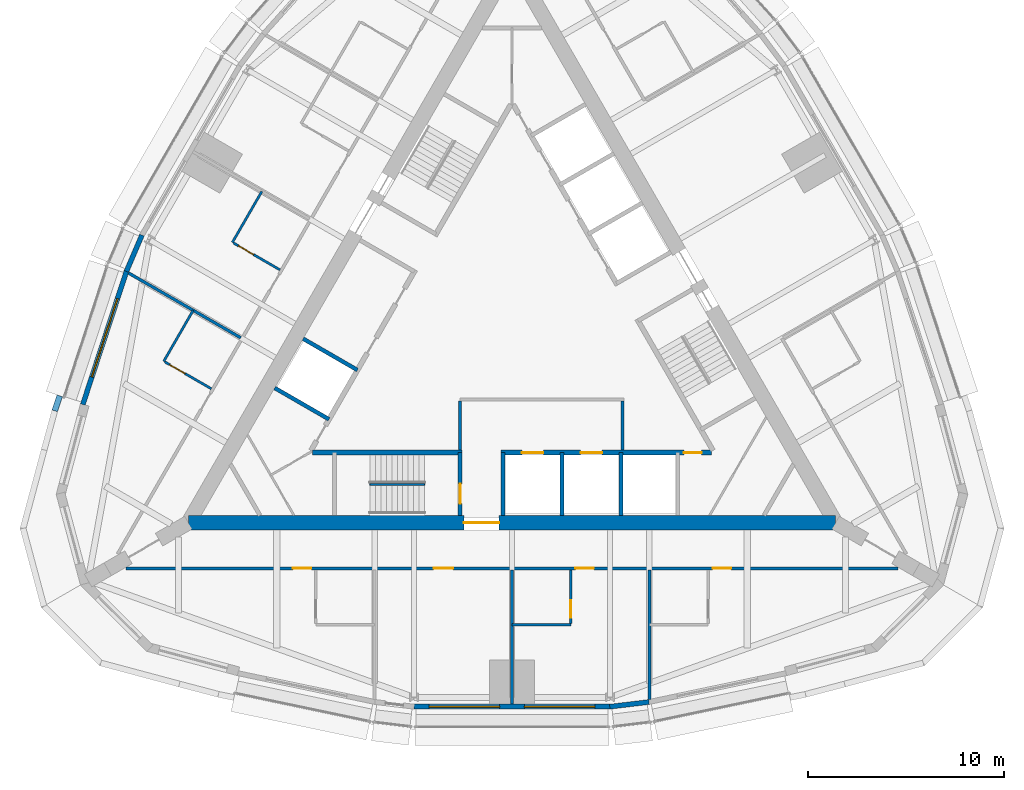
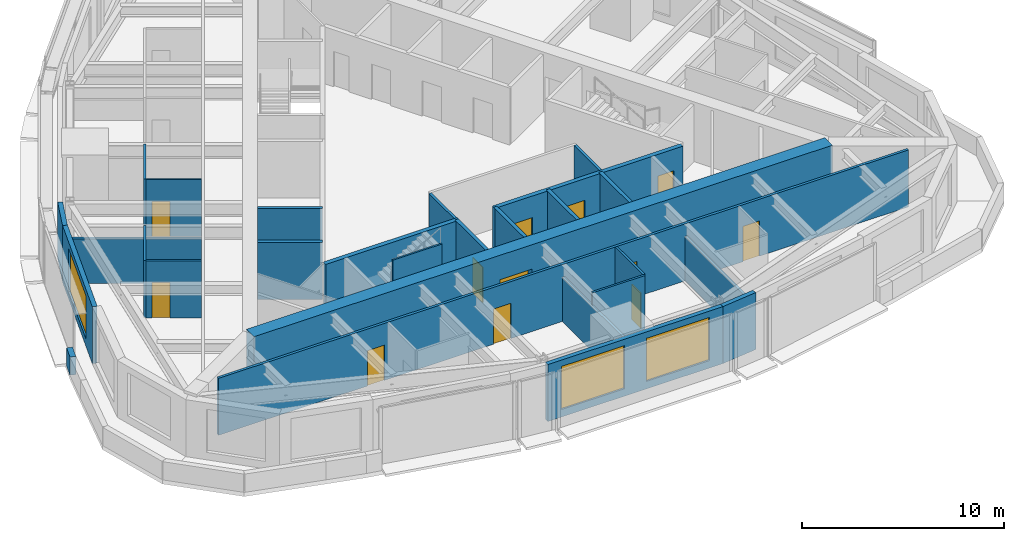
# One storey, part 8 of 13: 27 walls, 12 doors, 3 windows, 15 openings.
"""IFC4 building model written with IfcOpenShell, lengths in metres."""

from ifc_helpers import new_model, si_unit, direction, frame, frame_2d, origin, place, context, subcontext, project, spatial, rectangle, extrude, material, layer, layer_set, type_object, element, fill, save


model = new_model("IFC4")

# Units and contexts
model_context = context("Model", 3, precision=1e-05, world=origin(), true_north=direction((0.0, 1.0)))
body_context = subcontext(model_context, "Body", "Model", "MODEL_VIEW")
ifc_project = project(units=[si_unit("LENGTHUNIT", "METRE"), si_unit("AREAUNIT", "SQUARE_METRE"), si_unit("VOLUMEUNIT", "CUBIC_METRE"), si_unit("PLANEANGLEUNIT", "RADIAN"), si_unit("MASSUNIT", "GRAM", prefix="KILO")], contexts=[model_context])

# Site, building, storey
site_placement = place(None, origin())
site = spatial("IfcSite", under=ifc_project, at=site_placement, CompositionType="ELEMENT")
building_placement = place(site_placement, origin())
building = spatial("IfcBuilding", under=site, at=building_placement, Name="Trikona Tower", CompositionType="ELEMENT")
storey_placement = place(building_placement, frame((0.0, 0.0, 239.300048828125)))
storey = spatial("IfcBuildingStorey", under=building, at=storey_placement, Name="L63", CompositionType="ELEMENT", Elevation=239.300048828125)

# Wall
ifc_material_1 = material(Name="Metal stud and cement board", Category="gypsum")
ifc_layer_1 = layer(ifc_material_1, 0.1201171875)
ifc_layer_set_1 = layer_set([ifc_layer_1], Name="Bathroom wall 120")
wall_type_1 = type_object("IfcWallType", Name="Bathroom wall 120", PredefinedType="PLUMBINGWALL", material=ifc_layer_set_1)
wall_1_placement = place(storey_placement, frame((0.0, -14.726318359375, 0.0), z_axis=(0.0, 0.0, 1.0), x_axis=(1.0, 0.0, 0.0)))
element("IfcWall", 1, at=wall_1_placement, inside=storey, type_object=wall_type_1, Name="Bathroom wall 6302", PredefinedType="PLUMBINGWALL", context=body_context, shape_type="SweptSolid", body=[
    extrude(rectangle(XDim=3.0, YDim=0.1201171875, at=frame_2d((1.5, 0.0))), origin(), (0.0, 0.0, 1.0), 3.43505859375),
])

# Wall, opening, door
wall_2_placement = place(storey_placement, frame((3.0, -11.92626953125, 0.0), z_axis=(0.0, 0.0, 1.0), x_axis=(0.0, -1.0, 0.0)))
wall_2 = element("IfcWall", 2, at=wall_2_placement, inside=storey, type_object=wall_type_1, Name="Bathroom wall 6302", PredefinedType="PLUMBINGWALL", context=body_context, shape_type="SweptSolid", body=[
    extrude(rectangle(XDim=2.739990234375, YDim=0.1201171875, at=frame_2d((1.3701171875, 0.0))), origin(), (0.0, 0.0, 1.0), 3.43505859375),
])
opening_1_placement = place(wall_2_placement, frame((1.550048828125, 0.0, 0.0)))
opening_1 = element("IfcOpeningElement", 3, at=opening_1_placement, cuts=wall_2, Name="Opening D2", PredefinedType="OPENING", context=body_context, shape_type="SweptSolid", body=[
    extrude(rectangle(XDim=0.89990234375, YDim=2.1298828125, at=frame_2d((0.449951171875, 1.06494140625))), frame((0.0, 0.070068359375, 0.0), z_axis=(0.0, -1.0, 0.0), x_axis=(1.0, 0.0, 0.0)), (0.0, 0.0, 1.0), 0.14013671875),
])
ifc_material_2 = material(Name="Steel door frame with solid-core timber leaf", Category="steel")
door_type_1 = type_object("IfcDoorType", Name="Bathroom door 900x2130", OperationType="SLIDING_TO_LEFT", PredefinedType="DOOR", material=ifc_material_2)
door_1_placement = place(opening_1_placement, origin())
door_1 = element("IfcDoor", 4, at=door_1_placement, inside=storey, type_object=door_type_1, Name="Bathroom door 6302", OperationType="SLIDING_TO_LEFT", OverallHeight=2.1298828125, OverallWidth=0.89990234375, PredefinedType="DOOR", context=body_context, shape_type="SweptSolid", body=[
    extrude(rectangle(XDim=0.89990234375, YDim=2.1298828125, at=frame_2d((0.449951171875, 1.06494140625))), frame((0.0, 0.02490234375, 0.0), z_axis=(0.0, -1.0, 0.0), x_axis=(1.0, 0.0, 0.0)), (0.0, 0.0, 1.0), 0.050048828125),
])
fill(opening_1, door_1)

# Wall
wall_3_placement = place(storey_placement, frame((-12.75341796875, 7.363037109375, 0.0), z_axis=(0.0, 0.0, 1.0), x_axis=(-0.50002537861, -0.866010750942, 0.0)))
element("IfcWall", 5, at=wall_3_placement, inside=storey, type_object=wall_type_1, Name="Bathroom wall 6308", PredefinedType="PLUMBINGWALL", context=body_context, shape_type="SweptSolid", body=[
    extrude(rectangle(XDim=2.999755859375, YDim=0.1201171875, at=frame_2d((1.5, 0.0))), origin(), (0.0, 0.0, 1.0), 3.43505859375),
])

# Wall, opening, door
wall_4_placement = place(storey_placement, frame((-11.82861328125, 3.364990234375, 0.0), z_axis=(0.0, 0.0, 1.0), x_axis=(-0.865997131366, 0.500048966069, 0.0)))
wall_4 = element("IfcWall", 6, at=wall_4_placement, inside=storey, type_object=wall_type_1, Name="Bathroom wall 6308", PredefinedType="PLUMBINGWALL", context=body_context, shape_type="SweptSolid", body=[
    extrude(rectangle(XDim=2.739990234375, YDim=0.1201171875, at=frame_2d((1.3701171875, 0.0))), origin(), (0.0, 0.0, 1.0), 3.43505859375),
])
opening_2_placement = place(wall_4_placement, frame((1.550048828125, 0.0, 0.0)))
opening_2 = element("IfcOpeningElement", 7, at=opening_2_placement, cuts=wall_4, Name="Opening D2", PredefinedType="OPENING", context=body_context, shape_type="SweptSolid", body=[
    extrude(rectangle(XDim=0.89990234375, YDim=2.1298828125, at=frame_2d((0.449951171875, 1.06494140625))), frame((0.0, 0.070068359375, 0.0), z_axis=(0.0, -1.0, 0.0), x_axis=(1.0, 0.0, 0.0)), (0.0, 0.0, 1.0), 0.14013671875),
])
door_2_placement = place(opening_2_placement, origin())
door_2 = element("IfcDoor", 8, at=door_2_placement, inside=storey, type_object=door_type_1, Name="Bathroom door 6308", OperationType="SLIDING_TO_LEFT", OverallHeight=2.1298828125, OverallWidth=0.89990234375, PredefinedType="DOOR", context=body_context, shape_type="SweptSolid", body=[
    extrude(rectangle(XDim=0.89990234375, YDim=2.1298828125, at=frame_2d((0.449951171875, 1.06494140625))), frame((0.0, 0.02490234375, 0.0), z_axis=(0.0, -1.0, 0.0), x_axis=(1.0, 0.0, 0.0)), (0.0, 0.0, 1.0), 0.050048828125),
])
fill(opening_2, door_2)

# Wall
wall_5_placement = place(storey_placement, frame((-16.25341796875, 1.301025390625, 0.0), z_axis=(0.0, 0.0, 1.0), x_axis=(-0.499990139034, -0.866031096941, 0.0)))
element("IfcWall", 9, at=wall_5_placement, inside=storey, type_object=wall_type_1, Name="Bathroom wall 6309", PredefinedType="PLUMBINGWALL", context=body_context, shape_type="SweptSolid", body=[
    extrude(rectangle(XDim=3.0, YDim=0.1201171875, at=frame_2d((1.5, 0.0))), origin(), (0.0, 0.0, 1.0), 3.43505859375),
])

# Wall, opening, door
wall_6_placement = place(storey_placement, frame((-15.32861328125, -2.697021484375, 0.0), z_axis=(0.0, 0.0, 1.0), x_axis=(-0.866035715982, 0.499982138324, 0.0)))
wall_6 = element("IfcWall", 10, at=wall_6_placement, inside=storey, type_object=wall_type_1, Name="Bathroom wall 6309", PredefinedType="PLUMBINGWALL", context=body_context, shape_type="SweptSolid", body=[
    extrude(rectangle(XDim=2.73974609375, YDim=0.1201171875, at=frame_2d((1.369873046875, 0.0))), origin(), (0.0, 0.0, 1.0), 3.43505859375),
])
opening_3_placement = place(wall_6_placement, frame((1.550048828125, 0.0, 0.0)))
opening_3 = element("IfcOpeningElement", 11, at=opening_3_placement, cuts=wall_6, Name="Opening D2", PredefinedType="OPENING", context=body_context, shape_type="SweptSolid", body=[
    extrude(rectangle(XDim=0.89990234375, YDim=2.1298828125, at=frame_2d((0.449951171875, 1.06494140625))), frame((0.0, 0.070068359375, 0.0), z_axis=(0.0, -1.0, 0.0), x_axis=(1.0, 0.0, 0.0)), (0.0, 0.0, 1.0), 0.14013671875),
])
door_3_placement = place(opening_3_placement, origin())
door_3 = element("IfcDoor", 12, at=door_3_placement, inside=storey, type_object=door_type_1, Name="Bathroom door 6309", OperationType="SLIDING_TO_LEFT", OverallHeight=2.1298828125, OverallWidth=0.89990234375, PredefinedType="DOOR", context=body_context, shape_type="SweptSolid", body=[
    extrude(rectangle(XDim=0.89990234375, YDim=2.1298828125, at=frame_2d((0.449951171875, 1.06494140625))), frame((0.0, 0.02490234375, 0.0), z_axis=(0.0, -1.0, 0.0), x_axis=(1.0, 0.0, 0.0)), (0.0, 0.0, 1.0), 0.050048828125),
])
fill(opening_3, door_3)

ifc_material_3 = material(Name="Concrete f'c 10000 psi", Category="concrete")
ifc_layer_2 = layer(ifc_material_3, 0.75)
ifc_layer_set_2 = layer_set([ifc_layer_2], Name="Core wall 750")
wall_type_2 = type_object("IfcWallType", Name="Core wall 750", PredefinedType="SHEAR", material=ifc_layer_set_2)
wall_7_placement = place(storey_placement, frame((-16.5, -9.5263671875, 0.0), z_axis=(0.0, 0.0, 1.0), x_axis=(1.0, 0.0, 0.0)))
wall_7 = element("IfcWall", 13, at=wall_7_placement, inside=storey, type_object=wall_type_2, Name="Core wall A", PredefinedType="SHEAR", context=body_context, shape_type="SweptSolid", body=[
    extrude(rectangle(XDim=33.0, YDim=0.75, at=frame_2d((16.5, 0.0))), origin(), (0.0, 0.0, 1.0), 3.599853515625),
])
opening_4_placement = place(wall_7_placement, frame((14.050048828125, 0.0, 0.0)))
opening_4 = element("IfcOpeningElement", 14, at=opening_4_placement, cuts=wall_7, Name="Opening D6", PredefinedType="OPENING", context=body_context, shape_type="SweptSolid", body=[
    extrude(rectangle(XDim=1.800048828125, YDim=2.1298828125, at=frame_2d((0.89990234375, 1.06494140625))), frame((0.0, 0.385009765625, 0.0), z_axis=(0.0, -1.0, 0.0), x_axis=(1.0, 0.0, 0.0)), (0.0, 0.0, 1.0), 0.77001953125),
])
ifc_material_4 = material(Name="Hollow metal door and frame", Category="steel")
door_type_2 = type_object("IfcDoorType", Name="Lobby door pair 1800x2130", OperationType="DOUBLE_DOOR_SINGLE_SWING", PredefinedType="DOOR", material=ifc_material_4)
door_4_placement = place(opening_4_placement, origin())
door_4 = element("IfcDoor", 15, at=door_4_placement, inside=storey, type_object=door_type_2, Name="Fire service lift lobby door", OperationType="DOUBLE_DOOR_SINGLE_SWING", OverallHeight=2.1298828125, OverallWidth=1.800048828125, PredefinedType="DOOR", context=body_context, shape_type="SweptSolid", body=[
    extrude(rectangle(XDim=1.800048828125, YDim=2.1298828125, at=frame_2d((0.89990234375, 1.06494140625))), frame((0.0, 0.02490234375, 0.0), z_axis=(0.0, -1.0, 0.0), x_axis=(1.0, 0.0, 0.0)), (0.0, 0.0, 1.0), 0.050048828125),
])
fill(opening_4, door_4)

# Wall, openings, doors
ifc_material_5 = material(Name="Metal stud and gypsum board, 1-hour", Category="gypsum")
ifc_layer_3 = layer(ifc_material_5, 0.14990234375)
ifc_layer_set_3 = layer_set([ifc_layer_3], Name="Corridor wall 150")
wall_type_3 = type_object("IfcWallType", Name="Corridor wall 150", PredefinedType="PARTITIONING", material=ifc_layer_set_3)
wall_8_placement = place(storey_placement, frame((-19.677001953125, -11.851318359375, 0.0), z_axis=(0.0, 0.0, 1.0), x_axis=(1.0, 0.0, 0.0)))
wall_8 = element("IfcWall", 16, at=wall_8_placement, inside=storey, type_object=wall_type_3, Name="Corridor wall L63-1", PredefinedType="PARTITIONING", context=body_context, shape_type="SweptSolid", body=[
    extrude(rectangle(XDim=39.35400390625, YDim=0.14990234375, at=frame_2d((19.677001953125, 0.0))), origin(), (0.0, 0.0, 1.0), 3.43505859375),
])
opening_5_placement = place(wall_8_placement, frame((8.501953125, 0.0, 0.0)))
opening_5 = element("IfcOpeningElement", 17, at=opening_5_placement, cuts=wall_8, Name="Opening D1", PredefinedType="OPENING", context=body_context, shape_type="SweptSolid", body=[
    extrude(rectangle(XDim=0.949951171875, YDim=2.1298828125, at=frame_2d((0.47509765625, 1.06494140625))), frame((0.0, 0.0849609375, 0.0), z_axis=(0.0, -1.0, 0.0), x_axis=(1.0, 0.0, 0.0)), (0.0, 0.0, 1.0), 0.169921875),
])
opening_6_placement = place(wall_8_placement, frame((15.677001953125, 0.0, 0.0)))
opening_6 = element("IfcOpeningElement", 18, at=opening_6_placement, cuts=wall_8, Name="Opening D3", PredefinedType="OPENING", context=body_context, shape_type="SweptSolid", body=[
    extrude(rectangle(XDim=1.0, YDim=2.1298828125, at=frame_2d((0.5, 1.06494140625))), frame((0.0, 0.0849609375, 0.0), z_axis=(0.0, -1.0, 0.0), x_axis=(1.0, 0.0, 0.0)), (0.0, 0.0, 1.0), 0.169921875),
])
opening_7_placement = place(wall_8_placement, frame((22.902099609375, 0.0, 0.0)))
opening_7 = element("IfcOpeningElement", 19, at=opening_7_placement, cuts=wall_8, Name="Opening D1", PredefinedType="OPENING", context=body_context, shape_type="SweptSolid", body=[
    extrude(rectangle(XDim=0.949951171875, YDim=2.1298828125, at=frame_2d((0.47509765625, 1.06494140625))), frame((0.0, 0.0849609375, 0.0), z_axis=(0.0, -1.0, 0.0), x_axis=(1.0, 0.0, 0.0)), (0.0, 0.0, 1.0), 0.169921875),
])
opening_8_placement = place(wall_8_placement, frame((29.902099609375, 0.0, 0.0)))
opening_8 = element("IfcOpeningElement", 20, at=opening_8_placement, cuts=wall_8, Name="Opening D1", PredefinedType="OPENING", context=body_context, shape_type="SweptSolid", body=[
    extrude(rectangle(XDim=0.949951171875, YDim=2.1298828125, at=frame_2d((0.47509765625, 1.06494140625))), frame((0.0, 0.0849609375, 0.0), z_axis=(0.0, -1.0, 0.0), x_axis=(1.0, 0.0, 0.0)), (0.0, 0.0, 1.0), 0.169921875),
])
ifc_material_6 = material(Name="Steel door frame with solid-core timber leaf", Category="steel")
door_type_3 = type_object("IfcDoorType", Name="Guest room door 950x2130", OperationType="SINGLE_SWING_LEFT", PredefinedType="DOOR", material=ifc_material_6)
door_5_placement = place(opening_5_placement, origin())
door_5 = element("IfcDoor", 21, at=door_5_placement, inside=storey, type_object=door_type_3, Name="Room door 6301", OperationType="SINGLE_SWING_LEFT", OverallHeight=2.1298828125, OverallWidth=0.949951171875, PredefinedType="DOOR", context=body_context, shape_type="SweptSolid", body=[
    extrude(rectangle(XDim=0.949951171875, YDim=2.1298828125, at=frame_2d((0.47509765625, 1.06494140625))), frame((0.0, 0.02490234375, 0.0), z_axis=(0.0, -1.0, 0.0), x_axis=(1.0, 0.0, 0.0)), (0.0, 0.0, 1.0), 0.050048828125),
])
fill(opening_5, door_5)
door_6_placement = place(opening_7_placement, origin())
door_6 = element("IfcDoor", 22, at=door_6_placement, inside=storey, type_object=door_type_3, Name="Room door 6302", OperationType="SINGLE_SWING_LEFT", OverallHeight=2.1298828125, OverallWidth=0.949951171875, PredefinedType="DOOR", context=body_context, shape_type="SweptSolid", body=[
    extrude(rectangle(XDim=0.949951171875, YDim=2.1298828125, at=frame_2d((0.47509765625, 1.06494140625))), frame((0.0, 0.02490234375, 0.0), z_axis=(0.0, -1.0, 0.0), x_axis=(1.0, 0.0, 0.0)), (0.0, 0.0, 1.0), 0.050048828125),
])
fill(opening_7, door_6)
door_7_placement = place(opening_8_placement, origin())
door_7 = element("IfcDoor", 23, at=door_7_placement, inside=storey, type_object=door_type_3, Name="Room door 6303", OperationType="SINGLE_SWING_RIGHT", OverallHeight=2.1298828125, OverallWidth=0.949951171875, PredefinedType="DOOR", context=body_context, shape_type="SweptSolid", body=[
    extrude(rectangle(XDim=0.949951171875, YDim=2.1298828125, at=frame_2d((0.47509765625, 1.06494140625))), frame((0.0, 0.02490234375, 0.0), z_axis=(0.0, -1.0, 0.0), x_axis=(1.0, 0.0, 0.0)), (0.0, 0.0, 1.0), 0.050048828125),
])
fill(opening_8, door_7)
ifc_material_7 = material(Name="Steel door frame with solid-core timber leaf", Category="steel")
door_type_4 = type_object("IfcDoorType", Name="Room door 1000x2130", OperationType="SINGLE_SWING_LEFT", PredefinedType="DOOR", material=ifc_material_7)
door_8_placement = place(opening_6_placement, origin())
door_8 = element("IfcDoor", 24, at=door_8_placement, inside=storey, type_object=door_type_4, Name="Door Housekeeping pantry", OperationType="SINGLE_SWING_RIGHT", OverallHeight=2.1298828125, OverallWidth=1.0, PredefinedType="DOOR", context=body_context, shape_type="SweptSolid", body=[
    extrude(rectangle(XDim=1.0, YDim=2.1298828125, at=frame_2d((0.5, 1.06494140625))), frame((0.0, 0.02490234375, 0.0), z_axis=(0.0, -1.0, 0.0), x_axis=(1.0, 0.0, 0.0)), (0.0, 0.0, 1.0), 0.050048828125),
])
fill(opening_6, door_8)

# Wall
ifc_material_8 = material(Name="Concrete f'c 8000 psi", Category="concrete")
ifc_layer_4 = layer(ifc_material_8, 0.25)
ifc_layer_set_4 = layer_set([ifc_layer_4], Name="Hub wall 250")
wall_type_4 = type_object("IfcWallType", Name="Hub wall 250", PredefinedType="SOLIDWALL", material=ifc_layer_set_4)
wall_9_placement = place(storey_placement, frame((-10.182861328125, -5.951416015625, 0.0), z_axis=(0.0, 0.0, 1.0), x_axis=(1.0, 0.0, 0.0)))
element("IfcWall", 25, at=wall_9_placement, inside=storey, type_object=wall_type_4, Name="Lift lobby wall A1", PredefinedType="SOLIDWALL", context=body_context, shape_type="SweptSolid", body=[
    extrude(rectangle(XDim=7.6328125, YDim=0.25, at=frame_2d((3.81640625, 0.0))), origin(), (0.0, 0.0, 1.0), 3.43505859375),
])

# Wall, openings, doors
wall_10_placement = place(storey_placement, frame((-0.550048828125, -5.951416015625, 0.0), z_axis=(0.0, 0.0, 1.0), x_axis=(1.0, 0.0, 0.0)))
wall_10 = element("IfcWall", 26, at=wall_10_placement, inside=storey, type_object=wall_type_4, Name="Lift lobby wall A2", PredefinedType="SOLIDWALL", context=body_context, shape_type="SweptSolid", body=[
    extrude(rectangle(XDim=10.73291015625, YDim=0.25, at=frame_2d((5.366455078125, 0.0))), origin(), (0.0, 0.0, 1.0), 3.43505859375),
])
opening_9_placement = place(wall_10_placement, frame((9.31396484375, 0.0, 0.0)))
opening_9 = element("IfcOpeningElement", 27, at=opening_9_placement, cuts=wall_10, Name="Opening D14", PredefinedType="OPENING", context=body_context, shape_type="SweptSolid", body=[
    extrude(rectangle(XDim=0.89990234375, YDim=2.1298828125, at=frame_2d((0.449951171875, 1.06494140625))), frame((0.0, 0.135009765625, 0.0), z_axis=(0.0, -1.0, 0.0), x_axis=(1.0, 0.0, 0.0)), (0.0, 0.0, 1.0), 0.27001953125),
])
opening_10_placement = place(wall_10_placement, frame((1.050048828125, 0.0, 0.0)))
opening_10 = element("IfcOpeningElement", 28, at=opening_10_placement, cuts=wall_10, Name="Opening LD", PredefinedType="OPENING", context=body_context, shape_type="SweptSolid", body=[
    extrude(rectangle(XDim=1.10009765625, YDim=2.1298828125, at=frame_2d((0.550048828125, 1.06494140625))), frame((0.0, 0.135009765625, 0.0), z_axis=(0.0, -1.0, 0.0), x_axis=(1.0, 0.0, 0.0)), (0.0, 0.0, 1.0), 0.27001953125),
])
opening_11_placement = place(wall_10_placement, frame((4.050048828125, 0.0, 0.0)))
opening_11 = element("IfcOpeningElement", 29, at=opening_11_placement, cuts=wall_10, Name="Opening LD", PredefinedType="OPENING", context=body_context, shape_type="SweptSolid", body=[
    extrude(rectangle(XDim=1.10009765625, YDim=2.1298828125, at=frame_2d((0.550048828125, 1.06494140625))), frame((0.0, 0.135009765625, 0.0), z_axis=(0.0, -1.0, 0.0), x_axis=(1.0, 0.0, 0.0)), (0.0, 0.0, 1.0), 0.27001953125),
])
ifc_material_9 = material(Name="Stainless steel lift landing door", Category="steel")
door_type_5 = type_object("IfcDoorType", Name="Lift landing door 1100x2130", OperationType="DOUBLE_DOOR_SLIDING", PredefinedType="USERDEFINED", material=ifc_material_9)
door_9_placement = place(opening_10_placement, origin())
door_9 = element("IfcDoor", 30, at=door_9_placement, inside=storey, type_object=door_type_5, Name="Lift landing door FF1", ObjectType="LIFT LANDING DOOR", OperationType="DOUBLE_DOOR_SLIDING", OverallHeight=2.1298828125, OverallWidth=1.10009765625, PredefinedType="USERDEFINED", context=body_context, shape_type="SweptSolid", body=[
    extrude(rectangle(XDim=1.10009765625, YDim=2.1298828125, at=frame_2d((0.550048828125, 1.06494140625))), frame((0.0, 0.02490234375, 0.0), z_axis=(0.0, -1.0, 0.0), x_axis=(1.0, 0.0, 0.0)), (0.0, 0.0, 1.0), 0.050048828125),
])
fill(opening_10, door_9)
door_10_placement = place(opening_11_placement, origin())
door_10 = element("IfcDoor", 31, at=door_10_placement, inside=storey, type_object=door_type_5, Name="Lift landing door FF2", ObjectType="LIFT LANDING DOOR", OperationType="DOUBLE_DOOR_SLIDING", OverallHeight=2.1298828125, OverallWidth=1.10009765625, PredefinedType="USERDEFINED", context=body_context, shape_type="SweptSolid", body=[
    extrude(rectangle(XDim=1.10009765625, YDim=2.1298828125, at=frame_2d((0.550048828125, 1.06494140625))), frame((0.0, 0.02490234375, 0.0), z_axis=(0.0, -1.0, 0.0), x_axis=(1.0, 0.0, 0.0)), (0.0, 0.0, 1.0), 0.050048828125),
])
fill(opening_11, door_10)
ifc_material_10 = material(Name="Hollow metal door and frame", Category="steel")
door_type_6 = type_object("IfcDoorType", Name="Service room door 900x2130", OperationType="SINGLE_SWING_LEFT", PredefinedType="DOOR", material=ifc_material_10)
door_11_placement = place(opening_9_placement, origin())
door_11 = element("IfcDoor", 32, at=door_11_placement, inside=storey, type_object=door_type_6, Name="Door Housekeeping store HKS", OperationType="SINGLE_SWING_RIGHT", OverallHeight=2.1298828125, OverallWidth=0.89990234375, PredefinedType="DOOR", context=body_context, shape_type="SweptSolid", body=[
    extrude(rectangle(XDim=0.89990234375, YDim=2.1298828125, at=frame_2d((0.449951171875, 1.06494140625))), frame((0.0, 0.02490234375, 0.0), z_axis=(0.0, -1.0, 0.0), x_axis=(1.0, 0.0, 0.0)), (0.0, 0.0, 1.0), 0.050048828125),
])
fill(opening_9, door_11)

# Wall, openings, windows
ifc_material_11 = material(Name="Insulated precast concrete spandrel panel", Category="concrete")
ifc_layer_5 = layer(ifc_material_11, 0.25)
ifc_layer_set_5 = layer_set([ifc_layer_5], Name="Inner skin wall 250")
wall_type_5 = type_object("IfcWallType", Name="Inner skin wall 250", PredefinedType="STANDARD", material=ifc_layer_set_5)
wall_11_placement = place(storey_placement, frame((-5.0, -18.905517578125, 0.0), z_axis=(0.0, 0.0, 1.0), x_axis=(1.0, 0.0, 0.0)))
wall_11 = element("IfcWall", 33, at=wall_11_placement, inside=storey, type_object=wall_type_5, Name="External wall L63-02", PredefinedType="STANDARD", context=body_context, shape_type="SweptSolid", body=[
    extrude(rectangle(XDim=10.0, YDim=0.25, at=frame_2d((5.0, 0.0))), origin(), (0.0, 0.0, 1.0), 3.43505859375),
])
opening_12_placement = place(wall_11_placement, frame((0.77490234375, 0.0, 0.449951171875)))
opening_12 = element("IfcOpeningElement", 34, at=opening_12_placement, cuts=wall_11, Name="Opening W3626", PredefinedType="OPENING", context=body_context, shape_type="SweptSolid", body=[
    extrude(rectangle(XDim=3.60009765625, YDim=2.60009765625, at=frame_2d((1.800048828125, 1.300048828125))), frame((0.0, 0.135009765625, 0.0), z_axis=(0.0, -1.0, 0.0), x_axis=(1.0, 0.0, 0.0)), (0.0, 0.0, 1.0), 0.27001953125),
])
opening_13_placement = place(wall_11_placement, frame((5.625, 0.0, 0.449951171875)))
opening_13 = element("IfcOpeningElement", 35, at=opening_13_placement, cuts=wall_11, Name="Opening W3626", PredefinedType="OPENING", context=body_context, shape_type="SweptSolid", body=[
    extrude(rectangle(XDim=3.60009765625, YDim=2.60009765625, at=frame_2d((1.800048828125, 1.300048828125))), frame((0.0, 0.135009765625, 0.0), z_axis=(0.0, -1.0, 0.0), x_axis=(1.0, 0.0, 0.0)), (0.0, 0.0, 1.0), 0.27001953125),
])
ifc_material_12 = material(Name="Aluminium-framed double glazing", Category="aluminium")
window_type_1 = type_object("IfcWindowType", Name="Window 3600x2600", PartitioningType="SINGLE_PANEL", PredefinedType="WINDOW", material=ifc_material_12)
window_1_placement = place(opening_12_placement, origin())
window_1 = element("IfcWindow", 36, at=window_1_placement, inside=storey, type_object=window_type_1, Name="Window L63-HKP", OverallHeight=2.60009765625, OverallWidth=3.60009765625, PartitioningType="SINGLE_PANEL", PredefinedType="WINDOW", context=body_context, shape_type="SweptSolid", body=[
    extrude(rectangle(XDim=3.60009765625, YDim=2.60009765625, at=frame_2d((1.800048828125, 1.300048828125))), frame((0.0, 0.030029296875, 0.0), z_axis=(0.0, -1.0, 0.0), x_axis=(1.0, 0.0, 0.0)), (0.0, 0.0, 1.0), 0.06005859375),
])
fill(opening_12, window_1)
window_2_placement = place(opening_13_placement, origin())
window_2 = element("IfcWindow", 37, at=window_2_placement, inside=storey, type_object=window_type_1, Name="Window 6302", OverallHeight=2.60009765625, OverallWidth=3.60009765625, PartitioningType="SINGLE_PANEL", PredefinedType="WINDOW", context=body_context, shape_type="SweptSolid", body=[
    extrude(rectangle(XDim=3.60009765625, YDim=2.60009765625, at=frame_2d((1.800048828125, 1.300048828125))), frame((0.0, 0.030029296875, 0.0), z_axis=(0.0, -1.0, 0.0), x_axis=(1.0, 0.0, 0.0)), (0.0, 0.0, 1.0), 0.06005859375),
])
fill(opening_13, window_2)

# Walls
for number, where, z_axis, x_axis, name in (
    (38, (4.985107421875, -18.906494140625, 0.0), (0.0, 0.0, 1.0), (0.992877411981, 0.119140441403, 0.0), "External wall L63-03"),
    (39, (-18.865966796875, 5.135986328125, 0.0), (0.0, 0.0, 1.0), (-0.393290226175, -0.91941437774, 0.0), "External wall L63-21"),
):
    element("IfcWall", number, at=place(storey_placement, frame(where, z_axis=z_axis, x_axis=x_axis)), inside=storey, type_object=wall_type_5, Name=name, PredefinedType="STANDARD", context=body_context, shape_type="SweptSolid", body=[
        extrude(rectangle(XDim=2.014404296875, YDim=0.25, at=frame_2d((1.00732421875, 0.0))), origin(), (0.0, 0.0, 1.0), 3.43505859375),
    ])

# Wall, opening, window
wall_12_placement = place(storey_placement, frame((-19.654296875, 3.294189453125, 0.0), z_axis=(0.0, 0.0, 1.0), x_axis=(-0.311328857048, -0.95030223759, 0.0)))
wall_12 = element("IfcWall", 40, at=wall_12_placement, inside=storey, type_object=wall_type_5, Name="External wall L63-22", PredefinedType="STANDARD", context=body_context, shape_type="SweptSolid", body=[
    extrude(rectangle(XDim=7.152587890625, YDim=0.25, at=frame_2d((3.576171875, 0.0))), origin(), (0.0, 0.0, 1.0), 3.43505859375),
])
opening_14_placement = place(wall_12_placement, frame((1.476318359375, 0.0, 0.449951171875)))
opening_14 = element("IfcOpeningElement", 41, at=opening_14_placement, cuts=wall_12, Name="Opening W4226", PredefinedType="OPENING", context=body_context, shape_type="SweptSolid", body=[
    extrude(rectangle(XDim=4.199951171875, YDim=2.60009765625, at=frame_2d((2.10009765625, 1.300048828125))), frame((0.0, 0.135009765625, 0.0), z_axis=(0.0, -1.0, 0.0), x_axis=(1.0, 0.0, 0.0)), (0.0, 0.0, 1.0), 0.27001953125),
])
ifc_material_13 = material(Name="Aluminium-framed double glazing", Category="aluminium")
window_type_2 = type_object("IfcWindowType", Name="Window 4200x2600", PartitioningType="SINGLE_PANEL", PredefinedType="WINDOW", material=ifc_material_13)
window_3_placement = place(opening_14_placement, origin())
window_3 = element("IfcWindow", 42, at=window_3_placement, inside=storey, type_object=window_type_2, Name="Window 6309", OverallHeight=2.60009765625, OverallWidth=4.199951171875, PartitioningType="SINGLE_PANEL", PredefinedType="WINDOW", context=body_context, shape_type="SweptSolid", body=[
    extrude(rectangle(XDim=4.199951171875, YDim=2.60009765625, at=frame_2d((2.10009765625, 1.300048828125))), frame((0.0, 0.030029296875, 0.0), z_axis=(0.0, -1.0, 0.0), x_axis=(1.0, 0.0, 0.0)), (0.0, 0.0, 1.0), 0.06005859375),
])
fill(opening_14, window_3)

# Walls
ifc_material_14 = material(Name="Metal stud and gypsum board, 2-hour shaft wall", Category="gypsum")
ifc_layer_6 = layer(ifc_material_14, 0.14990234375)
ifc_layer_set_6 = layer_set([ifc_layer_6], Name="Lobby wall 150")
wall_type_6 = type_object("IfcWallType", Name="Lobby wall 150", PredefinedType="PARTITIONING", material=ifc_layer_set_6)
for number, where, z_axis, x_axis, name in (
    (43, (-2.64990234375, -5.826416015625, 0.0), (0.0, 0.0, 1.0), (0.0, 1.0, 0.0), "Fire service lift lobby wall 2"),
    (44, (5.625, -5.826416015625, 0.0), (0.0, 0.0, 1.0), (0.0, 1.0, 0.0), "Fire service lift lobby wall 3"),
):
    element("IfcWall", number, at=place(storey_placement, frame(where, z_axis=z_axis, x_axis=x_axis)), inside=storey, type_object=wall_type_6, Name=name, PredefinedType="PARTITIONING", context=body_context, shape_type="SweptSolid", body=[
        extrude(rectangle(XDim=2.5, YDim=0.14990234375, at=frame_2d((1.25, 0.0))), origin(), (0.0, 0.0, 1.0), 3.43505859375),
    ])
ifc_material_15 = material(Name="Brick-faced precast concrete", Category="masonry")
ifc_layer_7 = layer(ifc_material_15, 0.300048828125)
ifc_layer_set_7 = layer_set([ifc_layer_7], Name="Parapet wall 300")
wall_type_7 = type_object("IfcWallType", Name="Parapet wall 300", PredefinedType="PARAPET", material=ifc_layer_set_7)
wall_13_placement = place(storey_placement, frame((-23.312744140625, -3.8212890625, 0.0), z_axis=(0.0, 0.0, 1.0), x_axis=(0.315049484827, 0.949075245758, 0.0)))
element("IfcWall", 45, at=wall_13_placement, inside=storey, type_object=wall_type_7, Name="Parapet L63-05", PredefinedType="PARAPET", context=body_context, shape_type="SweptSolid", body=[
    extrude(rectangle(XDim=0.808349609375, YDim=0.300048828125, at=frame_2d((0.404296875, 0.0))), origin(), (0.0, 0.0, 1.0), 1.099853515625),
])
ifc_material_16 = material(Name="Metal stud and gypsum board, 1-hour acoustic", Category="gypsum")
ifc_layer_8 = layer(ifc_material_16, 0.14990234375)
ifc_layer_set_8 = layer_set([ifc_layer_8], Name="Party wall 150")
wall_type_8 = type_object("IfcWallType", Name="Party wall 150", PredefinedType="PARTITIONING", material=ifc_layer_set_8)
wall_14_placement = place(storey_placement, frame((0.0, -11.92626953125, 0.0), z_axis=(0.0, 0.0, 1.0), x_axis=(0.0, -1.0, 0.0)))
element("IfcWall", 46, at=wall_14_placement, inside=storey, type_object=wall_type_8, Name="Partition L63 F1 u0", PredefinedType="PARTITIONING", context=body_context, shape_type="SweptSolid", body=[
    extrude(rectangle(XDim=6.854248046875, YDim=0.14990234375, at=frame_2d((3.42724609375, 0.0))), origin(), (0.0, 0.0, 1.0), 2.677978515625),
])
wall_15_placement = place(storey_placement, frame((7.0, -11.92626953125, 0.0), z_axis=(0.0, 0.0, 1.0), x_axis=(0.0, -1.0, 0.0)))
element("IfcWall", 47, at=wall_15_placement, inside=storey, type_object=wall_type_8, Name="Partition L63 F1 u7", PredefinedType="PARTITIONING", context=body_context, shape_type="SweptSolid", body=[
    extrude(rectangle(XDim=6.608642578125, YDim=0.14990234375, at=frame_2d((3.30419921875, 0.0))), origin(), (0.0, 0.0, 1.0), 2.677978515625),
])
wall_16_placement = place(storey_placement, frame((-13.82861328125, -0.09912109375, 0.0), z_axis=(0.0, 0.0, 1.0), x_axis=(-0.866022562216, 0.500004921708, 0.0)))
element("IfcWall", 48, at=wall_16_placement, inside=storey, type_object=wall_type_8, Name="Partition L63 F3 u7", PredefinedType="PARTITIONING", context=body_context, shape_type="SweptSolid", body=[
    extrude(rectangle(XDim=6.60888671875, YDim=0.14990234375, at=frame_2d((3.304443359375, 0.0))), origin(), (0.0, 0.0, 1.0), 2.677978515625),
])
ifc_material_17 = material(Name="Concrete f'c 8000 psi", Category="concrete")
ifc_layer_9 = layer(ifc_material_17, 0.199951171875)
ifc_layer_set_9 = layer_set([ifc_layer_9], Name="Shaft wall 200")
wall_type_9 = type_object("IfcWallType", Name="Shaft wall 200", PredefinedType="SOLIDWALL", material=ifc_layer_set_9)
for number, where, z_axis, x_axis, name in (
    (49, (-0.449951171875, -5.951416015625, 0.0), (0.0, 0.0, 1.0), (0.0, -1.0, 0.0), "Shaft wall A3"),
    (50, (2.550048828125, -5.951416015625, 0.0), (0.0, 0.0, 1.0), (0.0, -1.0, 0.0), "Shaft wall A4"),
    (51, (5.550048828125, -5.951416015625, 0.0), (0.0, 0.0, 1.0), (0.0, -1.0, 0.0), "Shaft wall A5"),
    (52, (-7.87890625, -1.744140625, 0.0), (0.0, 0.0, 1.0), (-0.866042017984, 0.499971222258, 0.0), "Shaft wall C5"),
):
    element("IfcWall", number, at=place(storey_placement, frame(where, z_axis=z_axis, x_axis=x_axis)), inside=storey, type_object=wall_type_9, Name=name, PredefinedType="SOLIDWALL", context=body_context, shape_type="SweptSolid", body=[
        extrude(rectangle(XDim=3.199951171875, YDim=0.199951171875, at=frame_2d((1.60009765625, 0.0))), origin(), (0.0, 0.0, 1.0), 3.43505859375),
    ])
wall_17_placement = place(storey_placement, frame((-9.3291015625, -4.255615234375, 0.0), z_axis=(0.0, 0.0, 1.0), x_axis=(-0.866022944154, 0.50000426018, 0.0)))
element("IfcWall", 53, at=wall_17_placement, inside=storey, type_object=wall_type_9, Name="Shaft wall C6", PredefinedType="SOLIDWALL", context=body_context, shape_type="SweptSolid", body=[
    extrude(rectangle(XDim=3.19970703125, YDim=0.199951171875, at=frame_2d((1.599853515625, 0.0))), origin(), (0.0, 0.0, 1.0), 3.43505859375),
])

# Wall, opening, door
ifc_material_18 = material(Name="Concrete f'c 8000 psi", Category="concrete")
ifc_layer_10 = layer(ifc_material_18, 0.199951171875)
ifc_layer_set_10 = layer_set([ifc_layer_10], Name="Shaft wall 200 load-bearing")
wall_type_10 = type_object("IfcWallType", Name="Shaft wall 200 load-bearing", PredefinedType="SOLIDWALL", material=ifc_layer_set_10)
wall_18_placement = place(storey_placement, frame((-2.64990234375, -5.951416015625, 0.0), z_axis=(0.0, 0.0, 1.0), x_axis=(0.0, -1.0, 0.0)))
wall_18 = element("IfcWall", 54, at=wall_18_placement, inside=storey, type_object=wall_type_10, Name="Shaft wall A2", PredefinedType="SOLIDWALL", context=body_context, shape_type="SweptSolid", body=[
    extrude(rectangle(XDim=3.199951171875, YDim=0.199951171875, at=frame_2d((1.60009765625, 0.0))), origin(), (0.0, 0.0, 1.0), 3.43505859375),
])
opening_15_placement = place(wall_18_placement, frame((1.60009765625, 0.0, 0.0)))
opening_15 = element("IfcOpeningElement", 55, at=opening_15_placement, cuts=wall_18, Name="Opening D5", PredefinedType="OPENING", context=body_context, shape_type="SweptSolid", body=[
    extrude(rectangle(XDim=1.0, YDim=2.1298828125, at=frame_2d((0.5, 1.06494140625))), frame((0.0, 0.10986328125, 0.0), z_axis=(0.0, -1.0, 0.0), x_axis=(1.0, 0.0, 0.0)), (0.0, 0.0, 1.0), 0.219970703125),
])
ifc_material_19 = material(Name="Hollow metal door and frame", Category="steel")
door_type_7 = type_object("IfcDoorType", Name="Stair door 1000x2130", OperationType="SINGLE_SWING_LEFT", PredefinedType="DOOR", material=ifc_material_19)
door_12_placement = place(opening_15_placement, origin())
door_12 = element("IfcDoor", 56, at=door_12_placement, inside=storey, type_object=door_type_7, Name="Stair A door", OperationType="SINGLE_SWING_RIGHT", OverallHeight=2.1298828125, OverallWidth=1.0, PredefinedType="DOOR", context=body_context, shape_type="SweptSolid", body=[
    extrude(rectangle(XDim=1.0, YDim=2.1298828125, at=frame_2d((0.5, 1.06494140625))), frame((0.0, 0.02490234375, 0.0), z_axis=(0.0, -1.0, 0.0), x_axis=(1.0, 0.0, 0.0)), (0.0, 0.0, 1.0), 0.050048828125),
])
fill(opening_15, door_12)

# Wall
ifc_material_20 = material(Name="Concrete f'c 5000 psi", Category="concrete")
ifc_layer_11 = layer(ifc_material_20, 0.10009765625)
ifc_layer_set_11 = layer_set([ifc_layer_11], Name="Stair spine wall 100")
wall_type_11 = type_object("IfcWallType", Name="Stair spine wall 100", PredefinedType="SOLIDWALL", material=ifc_layer_set_11)
wall_19_placement = place(storey_placement, frame((-7.2470703125, -7.576416015625, 0.0), z_axis=(0.0, 0.0, 1.0), x_axis=(1.0, 0.0, 0.0)))
element("IfcWall", 57, at=wall_19_placement, inside=storey, type_object=wall_type_11, Name="Stair A spine wall L63", PredefinedType="SOLIDWALL", context=body_context, shape_type="SweptSolid", body=[
    extrude(rectangle(XDim=2.794189453125, YDim=0.10009765625, at=frame_2d((1.39697265625, 0.0))), origin(), (0.0, 0.0, 1.0), 3.599853515625),
])

save(model, "model.ifc")
